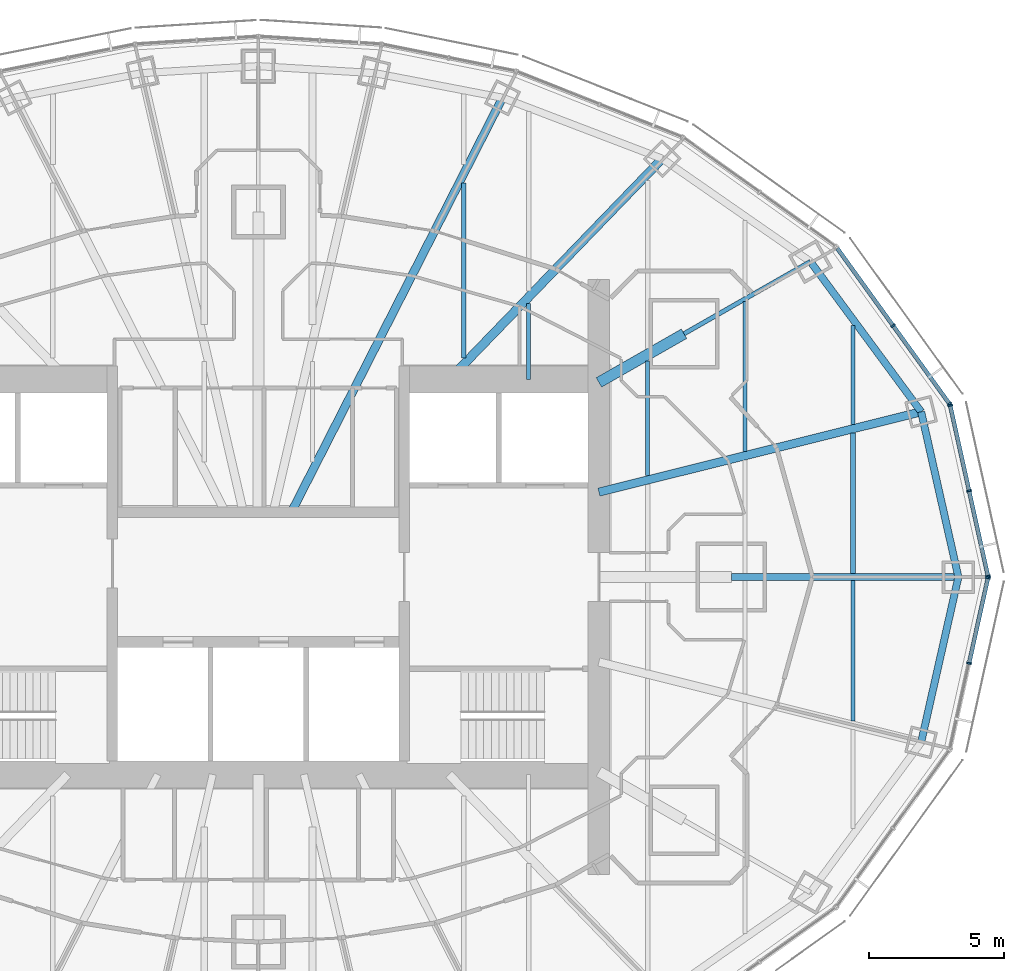
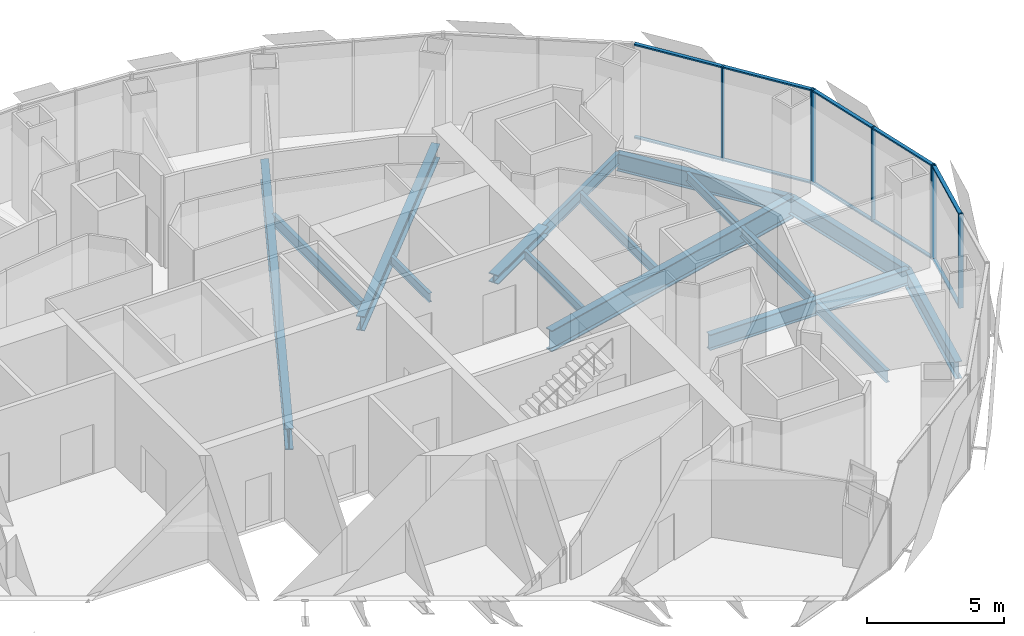
# One storey, part 7 of 18: 17 members, 16 beams, 3 elements without a shape of their own.
"""IFC4 building model written with IfcOpenShell, lengths in metres."""

from ifc_helpers import new_model, si_unit, direction, frame, origin, origin_2d, place, context, subcontext, project, spatial, rectangle, i_section, extrude, material, material_profile, profile_set, type_object, element, aggregate, save


model = new_model("IFC4")

# Units and contexts
model_context = context("Model", 3, precision=1e-05, world=origin(), true_north=direction((0.0, 1.0)))
body_context = subcontext(model_context, "Body", "Model", "MODEL_VIEW")
ifc_project = project(units=[si_unit("LENGTHUNIT", "METRE"), si_unit("AREAUNIT", "SQUARE_METRE"), si_unit("VOLUMEUNIT", "CUBIC_METRE"), si_unit("PLANEANGLEUNIT", "RADIAN"), si_unit("MASSUNIT", "GRAM", prefix="KILO")], contexts=[model_context])

# Site, building, storey
site_placement = place(None, origin())
site = spatial("IfcSite", under=ifc_project, at=site_placement, CompositionType="ELEMENT")
building_placement = place(site_placement, origin())
building = spatial("IfcBuilding", under=site, at=building_placement, Name="Lantaw Convention Tower", CompositionType="ELEMENT")
storey_placement = place(building_placement, frame((0.0, 0.0, 241.0)))
storey = spatial("IfcBuildingStorey", under=building, at=storey_placement, Name="L56", CompositionType="ELEMENT", Elevation=241.0)

# Beams
ifc_material_1 = material(Name="Steel ASTM A992", Category="steel")
ifc_material_profile_1 = material_profile(ifc_material_1, i_section(OverallWidth=0.2666015625, OverallDepth=0.76953125, WebThickness=0.015625, FlangeThickness=0.025390625, FilletRadius=0.0126953125, at=origin_2d()), Name="W30X132")
ifc_profile_set_1 = profile_set([ifc_material_profile_1], Name="Steel ASTM A992")
beam_type_1 = type_object("IfcBeamType", Name="Beam E W30X132", PredefinedType="SPANDREL", material=ifc_profile_set_1)
beam_1_placement = place(storey_placement, frame((25.89990234375, 0.0, -0.534912109375), z_axis=(-0.219857926596, 0.97553190215, 0.0), x_axis=(-0.97553190215, -0.219857926596, 0.0)))
element("IfcBeam", 1, at=beam_1_placement, inside=storey, type_object=beam_type_1, Name="Edge beam 1", PredefinedType="SPANDREL", context=body_context, shape_type="SweptSolid", body=[
    extrude(i_section(OverallWidth=0.2666015625, OverallDepth=0.76953125, WebThickness=0.015625, FlangeThickness=0.025390625, FilletRadius=0.0126953125, at=origin_2d()), origin(), (0.0, 0.0, 1.0), 6.267333984375),
])
beam_2_placement = place(storey_placement, frame((24.52197265625, 6.114013671875, -0.534912109375), z_axis=(-0.593639188853, 0.804731329984, 0.0), x_axis=(-0.804731329984, -0.593639188853, 0.0)))
element("IfcBeam", 2, at=beam_2_placement, inside=storey, type_object=beam_type_1, Name="Edge beam 2", PredefinedType="SPANDREL", context=body_context, shape_type="SweptSolid", body=[
    extrude(i_section(OverallWidth=0.2666015625, OverallDepth=0.76953125, WebThickness=0.015625, FlangeThickness=0.025390625, FilletRadius=0.0126953125, at=origin_2d()), origin(), (0.0, 0.0, 1.0), 6.904541015625),
])
beam_3_placement = place(storey_placement, frame((24.52197265625, -6.114013671875, -0.534912109375), z_axis=(0.219857926596, 0.97553190215, 0.0), x_axis=(-0.97553190215, 0.219857926596, 0.0)))
element("IfcBeam", 3, at=beam_3_placement, inside=storey, type_object=beam_type_1, Name="Edge beam 24", PredefinedType="SPANDREL", context=body_context, shape_type="SweptSolid", body=[
    extrude(i_section(OverallWidth=0.2666015625, OverallDepth=0.76953125, WebThickness=0.015625, FlangeThickness=0.025390625, FilletRadius=0.0126953125, at=origin_2d()), origin(), (0.0, 0.0, 1.0), 6.267333984375),
])
ifc_material_profile_2 = material_profile(ifc_material_1, i_section(OverallWidth=0.1650390625, OverallDepth=0.52587890625, WebThickness=0.0087890625, FlangeThickness=0.011474609375, FilletRadius=0.0126953125, at=origin_2d()), Name="W21X44")
ifc_profile_set_2 = profile_set([ifc_material_profile_2], Name="Steel ASTM A992")
beam_type_2 = type_object("IfcBeamType", Name="Beam G W21X44", PredefinedType="BEAM", material=ifc_profile_set_2)
beam_4_placement = place(storey_placement, frame((15.75, 9.0, -0.412841796875), z_axis=(0.868237559289, 0.496148708192, 0.0), x_axis=(-0.496148708192, 0.868237559289, 0.0)))
element("IfcBeam", 4, at=beam_4_placement, inside=storey, type_object=beam_type_2, Name="Floor girder on ray 3", PredefinedType="BEAM", context=body_context, shape_type="SweptSolid", body=[
    extrude(i_section(OverallWidth=0.1650390625, OverallDepth=0.52587890625, WebThickness=0.0087890625, FlangeThickness=0.011474609375, FilletRadius=0.0126953125, at=origin_2d()), origin(), (0.0, 0.0, 1.0), 5.38232421875),
])
ifc_material_profile_3 = material_profile(ifc_material_1, i_section(OverallWidth=0.32763671875, OverallDepth=0.64013671875, WebThickness=0.01904296875, FlangeThickness=0.033935546875, FilletRadius=0.0126953125, at=origin_2d()), Name="W24X176")
ifc_profile_set_3 = profile_set([ifc_material_profile_3], Name="Steel ASTM A992")
beam_type_3 = type_object("IfcBeamType", Name="Beam G W24X176", PredefinedType="BEAM", material=ifc_profile_set_3)
beam_5_placement = place(storey_placement, frame((7.049560546875, 7.300048828125, -0.469970703125), z_axis=(0.694657766726, 0.719340383356, 0.0), x_axis=(-0.719340383356, 0.694657766726, 0.0)))
element("IfcBeam", 5, at=beam_5_placement, inside=storey, type_object=beam_type_3, Name="Floor girder on ray 4", PredefinedType="BEAM", context=body_context, shape_type="SweptSolid", body=[
    extrude(i_section(OverallWidth=0.32763671875, OverallDepth=0.64013671875, WebThickness=0.01904296875, FlangeThickness=0.033935546875, FilletRadius=0.0126953125, at=origin_2d()), origin(), (0.0, 0.0, 1.0), 11.364990234375),
])
ifc_material_profile_4 = material_profile(ifc_material_1, i_section(OverallWidth=0.25390625, OverallDepth=0.700927734375, WebThickness=0.015380859375, FlangeThickness=0.02783203125, FilletRadius=0.01513671875, at=origin_2d()), Name="W27X129")
ifc_profile_set_4 = profile_set([ifc_material_profile_4], Name="Steel ASTM A992")
beam_type_4 = type_object("IfcBeamType", Name="Beam G W27X129", PredefinedType="BEAM", material=ifc_profile_set_4)
beam_6_placement = place(storey_placement, frame((17.5, 0.0, -0.50048828125), z_axis=(1.0, 0.0, 0.0), x_axis=(0.0, 1.0, 0.0)))
element("IfcBeam", 6, at=beam_6_placement, inside=storey, type_object=beam_type_4, Name="Floor girder on ray 1", PredefinedType="BEAM", context=body_context, shape_type="SweptSolid", body=[
    extrude(i_section(OverallWidth=0.25390625, OverallDepth=0.700927734375, WebThickness=0.015380859375, FlangeThickness=0.02783203125, FilletRadius=0.01513671875, at=origin_2d()), origin(), (0.0, 0.0, 1.0), 8.39990234375),
])
ifc_material_profile_5 = material_profile(ifc_material_1, i_section(OverallWidth=0.307373046875, OverallDepth=0.9423828125, WebThickness=0.022216796875, FlangeThickness=0.039794921875, FilletRadius=0.0126953125, at=origin_2d()), Name="W36X232")
ifc_profile_set_5 = profile_set([ifc_material_profile_5], Name="Steel ASTM A992")
beam_type_5 = type_object("IfcBeamType", Name="Beam G W36X232", PredefinedType="BEAM", material=ifc_profile_set_5)
beam_7_placement = place(storey_placement, frame((12.60009765625, 3.1416015625, -0.62109375), z_axis=(0.970296589314, 0.241918434119, 0.0), x_axis=(-0.241918434119, 0.970296589314, 0.0)))
element("IfcBeam", 7, at=beam_7_placement, inside=storey, type_object=beam_type_5, Name="Floor girder on ray 2", PredefinedType="BEAM", context=body_context, shape_type="SweptSolid", body=[
    extrude(i_section(OverallWidth=0.307373046875, OverallDepth=0.9423828125, WebThickness=0.022216796875, FlangeThickness=0.039794921875, FilletRadius=0.0126953125, at=origin_2d()), origin(), (0.0, 0.0, 1.0), 12.286865234375),
])
beam_8_placement = place(storey_placement, frame((1.222900390625, 2.39990234375, -0.62109375), z_axis=(0.453988481463, 0.891007552549, 0.0), x_axis=(-0.891007552549, 0.453988481463, 0.0)))
element("IfcBeam", 8, at=beam_8_placement, inside=storey, type_object=beam_type_5, Name="Floor girder on ray 5", PredefinedType="BEAM", context=body_context, shape_type="SweptSolid", body=[
    extrude(i_section(OverallWidth=0.307373046875, OverallDepth=0.9423828125, WebThickness=0.022216796875, FlangeThickness=0.039794921875, FilletRadius=0.0126953125, at=origin_2d()), origin(), (0.0, 0.0, 1.0), 17.20703125),
])
ifc_material_profile_6 = material_profile(ifc_material_1, i_section(OverallWidth=0.40380859375, OverallDepth=0.406494140625, WebThickness=0.027099609375, FlangeThickness=0.043701171875, FilletRadius=0.01513671875, at=origin_2d()), Name="W14X233")
ifc_profile_set_6 = profile_set([ifc_material_profile_6], Name="Steel ASTM A992")
beam_type_6 = type_object("IfcBeamType", Name="Beam GM W14X233", PredefinedType="BEAM", material=ifc_profile_set_6)
beam_9_placement = place(storey_placement, frame((12.60009765625, 7.199951171875, -0.353271484375), z_axis=(0.868230718294, 0.496160679428, 0.0), x_axis=(-0.496160679428, 0.868230718294, 0.0)))
element("IfcBeam", 9, at=beam_9_placement, inside=storey, type_object=beam_type_6, Name="Core link beam on ray 3", PredefinedType="BEAM", context=body_context, shape_type="SweptSolid", body=[
    extrude(i_section(OverallWidth=0.40380859375, OverallDepth=0.406494140625, WebThickness=0.027099609375, FlangeThickness=0.043701171875, FilletRadius=0.01513671875, at=origin_2d()), origin(), (0.0, 0.0, 1.0), 3.6279296875),
])
ifc_material_profile_7 = material_profile(ifc_material_1, i_section(OverallWidth=0.140380859375, OverallDepth=0.40380859375, WebThickness=0.007080078125, FlangeThickness=0.01123046875, FilletRadius=0.01025390625, at=origin_2d()), Name="W16X31")
ifc_profile_set_7 = profile_set([ifc_material_profile_7], Name="Steel ASTM A992")
beam_type_7 = type_object("IfcBeamType", Name="Beam J W16X31", PredefinedType="JOIST", material=ifc_profile_set_7)
beam_10_placement = place(storey_placement, frame((10.0, 7.300048828125, -0.35205078125), z_axis=(0.0, 1.0, 0.0), x_axis=(-1.0, 0.0, 0.0)))
element("IfcBeam", 10, at=beam_10_placement, inside=storey, type_object=beam_type_7, Name="Floor joist", PredefinedType="JOIST", context=body_context, shape_type="SweptSolid", body=[
    extrude(i_section(OverallWidth=0.140380859375, OverallDepth=0.40380859375, WebThickness=0.007080078125, FlangeThickness=0.01123046875, FilletRadius=0.01025390625, at=origin_2d()), origin(), (0.0, 0.0, 1.0), 2.8193359375),
])
beam_11_placement = place(storey_placement, frame((14.39990234375, 3.748779296875, -0.35205078125), z_axis=(0.0, 1.0, 0.0), x_axis=(-1.0, 0.0, 0.0)))
element("IfcBeam", 11, at=beam_11_placement, inside=storey, type_object=beam_type_7, Name="Floor joist", PredefinedType="JOIST", context=body_context, shape_type="SweptSolid", body=[
    extrude(i_section(OverallWidth=0.140380859375, OverallDepth=0.40380859375, WebThickness=0.007080078125, FlangeThickness=0.01123046875, FilletRadius=0.01025390625, at=origin_2d()), origin(), (0.0, 0.0, 1.0), 4.247314453125),
])
beam_12_placement = place(storey_placement, frame((22.0, 5.6435546875, -0.35205078125), z_axis=(0.0, 1.0, 0.0), x_axis=(-1.0, 0.0, 0.0)))
element("IfcBeam", 12, at=beam_12_placement, inside=storey, type_object=beam_type_7, Name="Floor joist", PredefinedType="JOIST", context=body_context, shape_type="SweptSolid", body=[
    extrude(i_section(OverallWidth=0.140380859375, OverallDepth=0.40380859375, WebThickness=0.007080078125, FlangeThickness=0.01123046875, FilletRadius=0.01025390625, at=origin_2d()), origin(), (0.0, 0.0, 1.0), 3.66455078125),
])
ifc_material_profile_8 = material_profile(ifc_material_1, i_section(OverallWidth=0.15234375, OverallDepth=0.449462890625, WebThickness=0.007568359375, FlangeThickness=0.0107421875, FilletRadius=0.01025390625, at=origin_2d()), Name="W18X35")
ifc_profile_set_8 = profile_set([ifc_material_profile_8], Name="Steel ASTM A992")
beam_type_8 = type_object("IfcBeamType", Name="Beam J W18X35", PredefinedType="JOIST", material=ifc_profile_set_8)
beam_13_placement = place(storey_placement, frame((18.0, 4.646240234375, -0.374755859375), z_axis=(0.0, 1.0, 0.0), x_axis=(-1.0, 0.0, 0.0)))
element("IfcBeam", 13, at=beam_13_placement, inside=storey, type_object=beam_type_8, Name="Floor joist", PredefinedType="JOIST", context=body_context, shape_type="SweptSolid", body=[
    extrude(i_section(OverallWidth=0.15234375, OverallDepth=0.449462890625, WebThickness=0.007568359375, FlangeThickness=0.0107421875, FilletRadius=0.01025390625, at=origin_2d()), origin(), (0.0, 0.0, 1.0), 5.54443359375),
])
ifc_material_profile_9 = material_profile(ifc_material_1, i_section(OverallWidth=0.1904296875, OverallDepth=0.457275390625, WebThickness=0.009033203125, FlangeThickness=0.014404296875, FilletRadius=0.01025390625, at=origin_2d()), Name="W18X50")
ifc_profile_set_9 = profile_set([ifc_material_profile_9], Name="Steel ASTM A992")
beam_type_9 = type_object("IfcBeamType", Name="Beam J W18X50", PredefinedType="JOIST", material=ifc_profile_set_9)
beam_14_placement = place(storey_placement, frame((22.0, 0.126953125, -0.378662109375), z_axis=(0.0, 1.0, 0.0), x_axis=(-1.0, 0.0, 0.0)))
element("IfcBeam", 14, at=beam_14_placement, inside=storey, type_object=beam_type_9, Name="Floor joist", PredefinedType="JOIST", context=body_context, shape_type="SweptSolid", body=[
    extrude(i_section(OverallWidth=0.1904296875, OverallDepth=0.457275390625, WebThickness=0.009033203125, FlangeThickness=0.014404296875, FilletRadius=0.01025390625, at=origin_2d()), origin(), (0.0, 0.0, 1.0), 5.199951171875),
])
ifc_material_profile_10 = material_profile(ifc_material_1, i_section(OverallWidth=0.1650390625, OverallDepth=0.52587890625, WebThickness=0.0087890625, FlangeThickness=0.011474609375, FilletRadius=0.0126953125, at=origin_2d()), Name="W21X44")
ifc_profile_set_10 = profile_set([ifc_material_profile_10], Name="Steel ASTM A992")
beam_type_10 = type_object("IfcBeamType", Name="Beam J W21X44", PredefinedType="JOIST", material=ifc_profile_set_10)
beam_15_placement = place(storey_placement, frame((7.60009765625, 8.10595703125, -0.412841796875), z_axis=(0.0, 1.0, 0.0), x_axis=(-1.0, 0.0, 0.0)))
element("IfcBeam", 15, at=beam_15_placement, inside=storey, type_object=beam_type_10, Name="Floor joist", PredefinedType="JOIST", context=body_context, shape_type="SweptSolid", body=[
    extrude(i_section(OverallWidth=0.1650390625, OverallDepth=0.52587890625, WebThickness=0.0087890625, FlangeThickness=0.011474609375, FilletRadius=0.0126953125, at=origin_2d()), origin(), (0.0, 0.0, 1.0), 6.471435546875),
])
beam_16_placement = place(storey_placement, frame((22.0, -5.326904296875, -0.412841796875), z_axis=(0.0, 1.0, 0.0), x_axis=(-1.0, 0.0, 0.0)))
element("IfcBeam", 16, at=beam_16_placement, inside=storey, type_object=beam_type_10, Name="Floor joist", PredefinedType="JOIST", context=body_context, shape_type="SweptSolid", body=[
    extrude(i_section(OverallWidth=0.1650390625, OverallDepth=0.52587890625, WebThickness=0.0087890625, FlangeThickness=0.011474609375, FilletRadius=0.0126953125, at=origin_2d()), origin(), (0.0, 0.0, 1.0), 5.199951171875),
])

# Curtain wall, members
ifc_material_2 = material(Name="Aluminium framed curtain wall", Category="aluminium")
curtain_wall_type = type_object("IfcCurtainWallType", Name="Office curtain wall high rise, pale aluminium", PredefinedType="USERDEFINED", material=ifc_material_2)
curtain_wall_1_placement = place(storey_placement, origin())
curtain_wall_1 = element("IfcCurtainWall", 17, at=curtain_wall_1_placement, inside=storey, type_object=curtain_wall_type, Name="Office curtain wall high rise, pale aluminium L56", ObjectType="UNITISED CURTAIN WALL", PredefinedType="USERDEFINED")
ifc_material_3 = material(Name="Aluminium 6063-T6", Category="aluminium")
ifc_material_profile_11 = material_profile(ifc_material_3, rectangle(XDim=0.179931640625, YDim=0.06494140625, at=origin_2d()), Name="CW-O2 mullion 65x180")
ifc_profile_set_11 = profile_set([ifc_material_profile_11], Name="Aluminium 6063-T6")
member_type_1 = type_object("IfcMemberType", Name="CW-O2 mullion 65x180", PredefinedType="MULLION", material=ifc_profile_set_11)
member_1_placement = place(storey_placement, frame((26.992919921875, 0.03173828125, -0.14990234375), z_axis=(0.0, 0.0, 1.0), x_axis=(-0.976417396437, -0.215891333626, 0.0)))
member_1 = element("IfcMember", 18, at=member_1_placement, type_object=member_type_1, Name="CW-O2 mullion 1", PredefinedType="MULLION", context=body_context, shape_type="SweptSolid", body=[
    extrude(rectangle(XDim=0.179931640625, YDim=0.06494140625, at=origin_2d()), origin(), (0.0, 0.0, 1.0), 4.199951171875),
])
member_2_placement = place(storey_placement, frame((26.294677734375, 3.190185546875, -0.14990234375), z_axis=(0.0, 0.0, 1.0), x_axis=(-0.976417396437, -0.215891333626, 0.0)))
member_2 = element("IfcMember", 19, at=member_2_placement, type_object=member_type_1, Name="CW-O2 mullion 2", PredefinedType="MULLION", context=body_context, shape_type="SweptSolid", body=[
    extrude(rectangle(XDim=0.179931640625, YDim=0.06494140625, at=origin_2d()), origin(), (0.0, 0.0, 1.0), 4.199951171875),
])
member_3_placement = place(storey_placement, frame((25.596435546875, 6.348388671875, -0.14990234375), z_axis=(0.0, 0.0, 1.0), x_axis=(-0.976417396437, -0.215891333626, 0.0)))
member_3 = element("IfcMember", 20, at=member_3_placement, type_object=member_type_1, Name="CW-O2 mullion 3", PredefinedType="MULLION", context=body_context, shape_type="SweptSolid", body=[
    extrude(rectangle(XDim=0.179931640625, YDim=0.06494140625, at=origin_2d()), origin(), (0.0, 0.0, 1.0), 4.199951171875),
])

curtain_wall_2_placement = place(storey_placement, origin())
curtain_wall_2 = element("IfcCurtainWall", 21, at=curtain_wall_2_placement, inside=storey, type_object=curtain_wall_type, Name="Office curtain wall high rise, pale aluminium L56", ObjectType="UNITISED CURTAIN WALL", PredefinedType="USERDEFINED")
member_4_placement = place(storey_placement, frame((25.5703125, 6.406494140625, -0.14990234375), z_axis=(0.0, 0.0, 1.0), x_axis=(-0.810919559405, -0.585157643865, 0.0)))
member_4 = element("IfcMember", 22, at=member_4_placement, type_object=member_type_1, Name="CW-O2 mullion 1", PredefinedType="MULLION", context=body_context, shape_type="SweptSolid", body=[
    extrude(rectangle(XDim=0.179931640625, YDim=0.06494140625, at=origin_2d()), origin(), (0.0, 0.0, 1.0), 4.199951171875),
])
member_5_placement = place(storey_placement, frame((23.483642578125, 9.298095703125, -0.14990234375), z_axis=(0.0, 0.0, 1.0), x_axis=(-0.810919559405, -0.585157643865, 0.0)))
member_5 = element("IfcMember", 23, at=member_5_placement, type_object=member_type_1, Name="CW-O2 mullion 2", PredefinedType="MULLION", context=body_context, shape_type="SweptSolid", body=[
    extrude(rectangle(XDim=0.179931640625, YDim=0.06494140625, at=origin_2d()), origin(), (0.0, 0.0, 1.0), 4.199951171875),
])

curtain_wall_3_placement = place(storey_placement, origin())
curtain_wall_3 = element("IfcCurtainWall", 24, at=curtain_wall_3_placement, inside=storey, type_object=curtain_wall_type, Name="Office curtain wall high rise, pale aluminium L56", ObjectType="UNITISED CURTAIN WALL", PredefinedType="USERDEFINED")
member_6_placement = place(storey_placement, frame((26.294677734375, -3.190185546875, -0.14990234375), z_axis=(0.0, 0.0, 1.0), x_axis=(-0.976417396437, 0.215891333626, 0.0)))
member_6 = element("IfcMember", 25, at=member_6_placement, type_object=member_type_1, Name="CW-O2 mullion 2", PredefinedType="MULLION", context=body_context, shape_type="SweptSolid", body=[
    extrude(rectangle(XDim=0.179931640625, YDim=0.06494140625, at=origin_2d()), origin(), (0.0, 0.0, 1.0), 4.199951171875),
])
member_7_placement = place(storey_placement, frame((26.992919921875, -0.03173828125, -0.14990234375), z_axis=(0.0, 0.0, 1.0), x_axis=(-0.976417396437, 0.215891333626, 0.0)))
member_7 = element("IfcMember", 26, at=member_7_placement, type_object=member_type_1, Name="CW-O2 mullion 3", PredefinedType="MULLION", context=body_context, shape_type="SweptSolid", body=[
    extrude(rectangle(XDim=0.179931640625, YDim=0.06494140625, at=origin_2d()), origin(), (0.0, 0.0, 1.0), 4.199951171875),
])

# Member
ifc_material_profile_12 = material_profile(ifc_material_3, rectangle(XDim=0.14990234375, YDim=0.06494140625, at=origin_2d()), Name="CW-O2 transom 65x150")
ifc_profile_set_12 = profile_set([ifc_material_profile_12], Name="Aluminium 6063-T6")
member_type_2 = type_object("IfcMemberType", Name="CW-O2 transom 65x150", PredefinedType="USERDEFINED", material=ifc_profile_set_12)
member_8_placement = place(storey_placement, frame((26.986083984375, 0.0634765625, -0.117431640625), z_axis=(-0.215894607042, 0.976416672661, 0.0), x_axis=(-0.976416672661, -0.215894607042, 0.0)))
member_8 = element("IfcMember", 27, at=member_8_placement, type_object=member_type_2, Name="CW-O2 transom 1.1", ObjectType="TRANSOM", PredefinedType="USERDEFINED", context=body_context, shape_type="SweptSolid", body=[
    extrude(rectangle(XDim=0.14990234375, YDim=0.06494140625, at=origin_2d()), origin(), (0.0, 0.0, 1.0), 3.169677734375),
])

member_9_placement = place(storey_placement, frame((26.986083984375, 0.0634765625, 4.017578125), z_axis=(-0.215894607042, 0.976416672661, 0.0), x_axis=(-0.976416672661, -0.215894607042, 0.0)))
member_9 = element("IfcMember", 28, at=member_9_placement, type_object=member_type_2, Name="CW-O2 transom 1.2", ObjectType="TRANSOM", PredefinedType="USERDEFINED", context=body_context, shape_type="SweptSolid", body=[
    extrude(rectangle(XDim=0.14990234375, YDim=0.06494140625, at=origin_2d()), origin(), (0.0, 0.0, 1.0), 3.169677734375),
])

member_10_placement = place(storey_placement, frame((26.28759765625, 3.2216796875, -0.117431640625), z_axis=(-0.215894607042, 0.976416672661, 0.0), x_axis=(-0.976416672661, -0.215894607042, 0.0)))
member_10 = element("IfcMember", 29, at=member_10_placement, type_object=member_type_2, Name="CW-O2 transom 2.1", ObjectType="TRANSOM", PredefinedType="USERDEFINED", context=body_context, shape_type="SweptSolid", body=[
    extrude(rectangle(XDim=0.14990234375, YDim=0.06494140625, at=origin_2d()), origin(), (0.0, 0.0, 1.0), 3.169677734375),
])

member_11_placement = place(storey_placement, frame((26.28759765625, 3.2216796875, 4.017578125), z_axis=(-0.215894607042, 0.976416672661, 0.0), x_axis=(-0.976416672661, -0.215894607042, 0.0)))
member_11 = element("IfcMember", 30, at=member_11_placement, type_object=member_type_2, Name="CW-O2 transom 2.2", ObjectType="TRANSOM", PredefinedType="USERDEFINED", context=body_context, shape_type="SweptSolid", body=[
    extrude(rectangle(XDim=0.14990234375, YDim=0.06494140625, at=origin_2d()), origin(), (0.0, 0.0, 1.0), 3.169677734375),
])

aggregate(curtain_wall_1, [member_1, member_2, member_3, member_8, member_9, member_10, member_11])

member_12_placement = place(storey_placement, frame((25.55126953125, 6.432861328125, -0.117431640625), z_axis=(-0.585169685931, 0.810910869743, 0.0), x_axis=(-0.810910869743, -0.585169685931, 0.0)))
member_12 = element("IfcMember", 31, at=member_12_placement, type_object=member_type_2, Name="CW-O2 transom 1.1", ObjectType="TRANSOM", PredefinedType="USERDEFINED", context=body_context, shape_type="SweptSolid", body=[
    extrude(rectangle(XDim=0.14990234375, YDim=0.06494140625, at=origin_2d()), origin(), (0.0, 0.0, 1.0), 3.500732421875),
])

member_13_placement = place(storey_placement, frame((25.55126953125, 6.432861328125, 4.017578125), z_axis=(-0.585169685931, 0.810910869743, 0.0), x_axis=(-0.810910869743, -0.585169685931, 0.0)))
member_13 = element("IfcMember", 32, at=member_13_placement, type_object=member_type_2, Name="CW-O2 transom 1.2", ObjectType="TRANSOM", PredefinedType="USERDEFINED", context=body_context, shape_type="SweptSolid", body=[
    extrude(rectangle(XDim=0.14990234375, YDim=0.06494140625, at=origin_2d()), origin(), (0.0, 0.0, 1.0), 3.500732421875),
])

member_14_placement = place(storey_placement, frame((23.464599609375, 9.324462890625, -0.117431640625), z_axis=(-0.585123825205, 0.810943961798, 0.0), x_axis=(-0.810943961798, -0.585123825205, 0.0)))
member_14 = element("IfcMember", 33, at=member_14_placement, type_object=member_type_2, Name="CW-O2 transom 2.1", ObjectType="TRANSOM", PredefinedType="USERDEFINED", context=body_context, shape_type="SweptSolid", body=[
    extrude(rectangle(XDim=0.14990234375, YDim=0.06494140625, at=origin_2d()), origin(), (0.0, 0.0, 1.0), 3.500732421875),
])

member_15_placement = place(storey_placement, frame((23.464599609375, 9.324462890625, 4.017578125), z_axis=(-0.585123825205, 0.810943961798, 0.0), x_axis=(-0.810943961798, -0.585123825205, 0.0)))
member_15 = element("IfcMember", 34, at=member_15_placement, type_object=member_type_2, Name="CW-O2 transom 2.2", ObjectType="TRANSOM", PredefinedType="USERDEFINED", context=body_context, shape_type="SweptSolid", body=[
    extrude(rectangle(XDim=0.14990234375, YDim=0.06494140625, at=origin_2d()), origin(), (0.0, 0.0, 1.0), 3.500732421875),
])

aggregate(curtain_wall_2, [member_4, member_5, member_12, member_13, member_14, member_15])

member_16_placement = place(storey_placement, frame((26.3017578125, -3.158447265625, -0.117431640625), z_axis=(0.215894607042, 0.976416672661, 0.0), x_axis=(-0.976416672661, 0.215894607042, 0.0)))
member_16 = element("IfcMember", 35, at=member_16_placement, type_object=member_type_2, Name="CW-O2 transom 2.1", ObjectType="TRANSOM", PredefinedType="USERDEFINED", context=body_context, shape_type="SweptSolid", body=[
    extrude(rectangle(XDim=0.14990234375, YDim=0.06494140625, at=origin_2d()), origin(), (0.0, 0.0, 1.0), 3.169677734375),
])

member_17_placement = place(storey_placement, frame((26.3017578125, -3.158447265625, 4.017578125), z_axis=(0.215894607042, 0.976416672661, 0.0), x_axis=(-0.976416672661, 0.215894607042, 0.0)))
member_17 = element("IfcMember", 36, at=member_17_placement, type_object=member_type_2, Name="CW-O2 transom 2.2", ObjectType="TRANSOM", PredefinedType="USERDEFINED", context=body_context, shape_type="SweptSolid", body=[
    extrude(rectangle(XDim=0.14990234375, YDim=0.06494140625, at=origin_2d()), origin(), (0.0, 0.0, 1.0), 3.169677734375),
])

aggregate(curtain_wall_3, [member_6, member_7, member_16, member_17])

save(model, "model.ifc")
